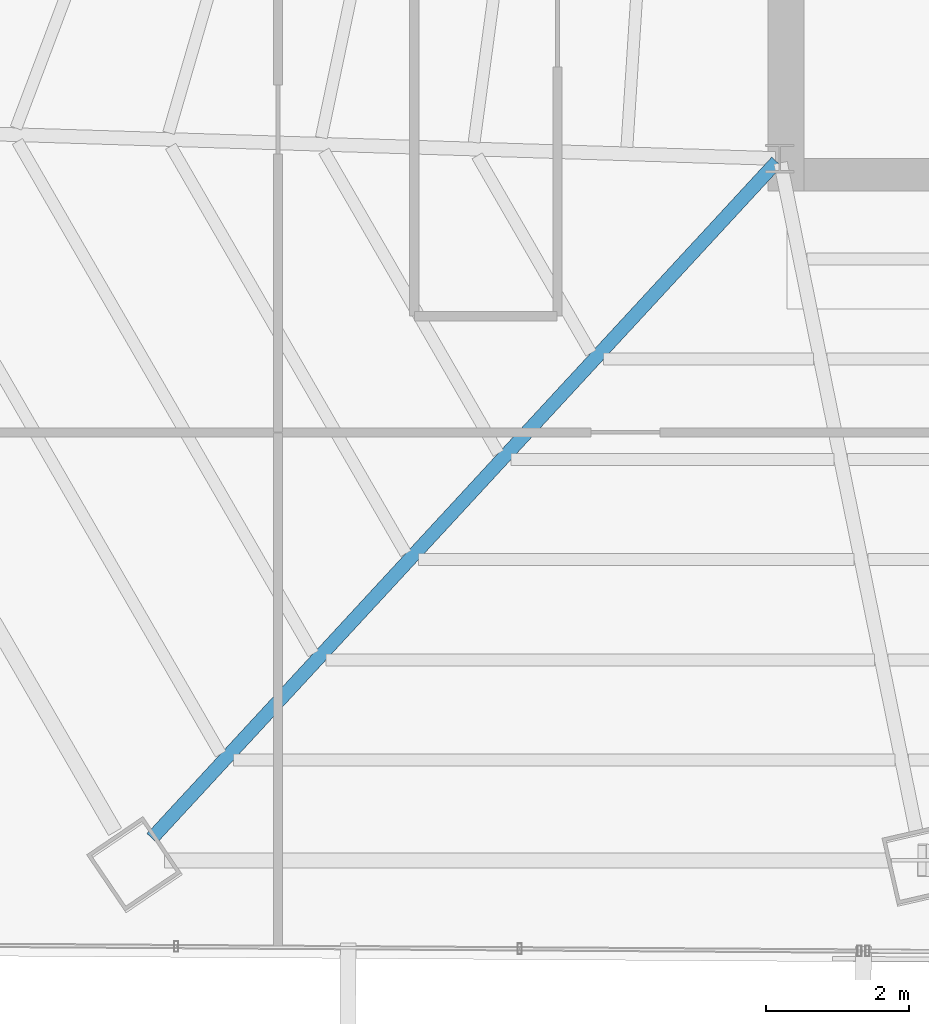
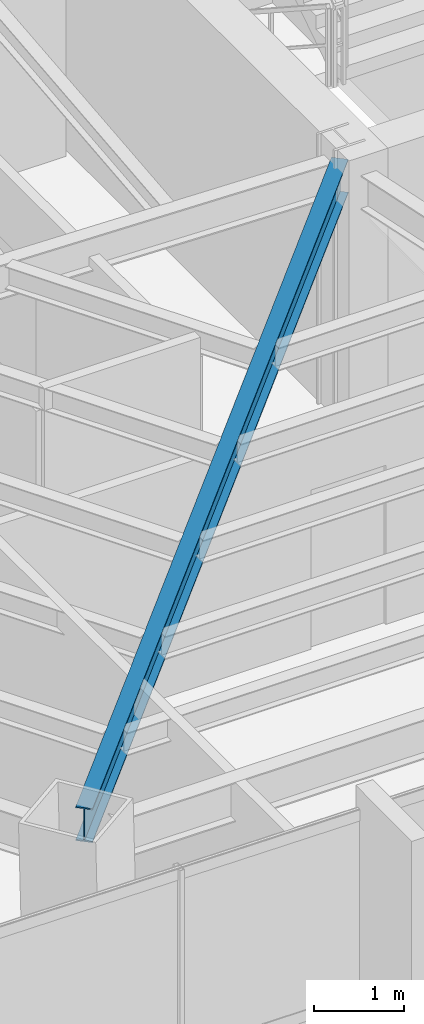
# One storey, part 5 of 41: 1 beam.
"""IFC4 building model written with IfcOpenShell, lengths in metres."""

import ifcopenshell
import ifcopenshell.guid

model = None  # the IFC model being written
_history = None  # IfcOwnerHistory: only IFC2X3 demands one
_inside = {}  # id of a spatial element -> (the spatial element, [elements in it])
_under = {}  # id of a project, library or spatial element -> (it, [spatial elements below it])
_declared = {}  # id of a project -> (the project, [libraries it declares])
_typed = {}  # id of a type object -> (the type object, [elements of that type])
_made_of = {}  # id of a material, layer set ... -> (it, [elements and type objects made of it])


def new_model(schema):
    """Start an empty IFC model of exactly this schema.

    Asked for "IFC4X3", IfcOpenShell would pick the latest addendum, in which some entities
    have other attributes; the version numbers below select the first issue.
    IFC2X3 requires an IfcOwnerHistory on every rooted entity: one is made here for all.
    """
    global model, _history
    if schema == "IFC4X3":
        model = ifcopenshell.file(schema_version=(4, 3, 0, 0))
    else:
        model = ifcopenshell.file(schema=schema)
    _inside.clear()
    _under.clear()
    _declared.clear()
    _typed.clear()
    _made_of.clear()
    _history = None
    if model.schema == "IFC2X3":
        org = make("IfcOrganization", Name="unknown")
        user = make(
            "IfcPersonAndOrganization",
            ThePerson=make("IfcPerson", FamilyName="unknown"),
            TheOrganization=org,
        )
        app = make(
            "IfcApplication",
            ApplicationDeveloper=org,
            Version="unknown",
            ApplicationFullName="unknown",
            ApplicationIdentifier="unknown",
        )
        _history = make(
            "IfcOwnerHistory",
            OwningUser=user,
            OwningApplication=app,
            ChangeAction="ADDED",
            CreationDate=0,
        )
    return model


def make(cls, **values):
    """One entity of the class cls with the attributes given. An attribute that is None is left unset."""
    return model.create_entity(
        cls, **{name: value for name, value in values.items() if value is not None}
    )


def rooted(cls, **values):
    """An entity with a GlobalId (a new one), such as an element, a storey or a relation."""
    return make(cls, GlobalId=ifcopenshell.guid.new(), OwnerHistory=_history, **values)


def si_unit(unit_type, name, prefix=None):
    """IfcSIUnit, for example si_unit("LENGTHUNIT", "METRE", prefix="MILLI")."""
    return make("IfcSIUnit", UnitType=unit_type, Prefix=prefix, Name=name)


def assignment(units):
    """IfcUnitAssignment: the units of a project."""
    return None if units is None else make("IfcUnitAssignment", Units=units)


def point(xyz):
    """IfcCartesianPoint."""
    return None if xyz is None else make("IfcCartesianPoint", Coordinates=xyz)


def direction(xyz):
    """IfcDirection."""
    return None if xyz is None else make("IfcDirection", DirectionRatios=xyz)


def frame(location, z_axis=None, x_axis=None):
    """IfcAxis2Placement3D, a coordinate frame: its origin and axes. An axis left out is left unset."""
    return make(
        "IfcAxis2Placement3D",
        Location=point(location),
        Axis=direction(z_axis),
        RefDirection=direction(x_axis),
    )


def frame_2d(location, x_axis=None):
    """IfcAxis2Placement2D, a coordinate frame in the plane: its origin and x axis."""
    return make(
        "IfcAxis2Placement2D", Location=point(location), RefDirection=direction(x_axis)
    )


def origin():
    """The frame at (0, 0, 0) with its axes left unset."""
    return frame((0.0, 0.0, 0.0))


def origin_2d():
    """The frame at (0, 0) in the plane with its x axis left unset."""
    return frame_2d((0.0, 0.0))


def place(relative_to, where):
    """IfcLocalPlacement: puts the frame where relative to a parent placement (None: the world)."""
    return make(
        "IfcLocalPlacement", PlacementRelTo=relative_to, RelativePlacement=where
    )


def context(
    kind, dimensions, precision=None, world=None, true_north=None, identifier=None
):
    """IfcGeometricRepresentationContext, for example the 3D "Model" context."""
    return make(
        "IfcGeometricRepresentationContext",
        ContextIdentifier=identifier,
        ContextType=kind,
        CoordinateSpaceDimension=dimensions,
        Precision=precision,
        WorldCoordinateSystem=world,
        TrueNorth=true_north,
    )


def subcontext(parent, identifier, kind, view, scale=None):
    """IfcGeometricRepresentationSubContext, for example "Body" below "Model"."""
    return make(
        "IfcGeometricRepresentationSubContext",
        ContextIdentifier=identifier,
        ContextType=kind,
        ParentContext=parent,
        TargetScale=scale,
        TargetView=view,
    )


def project(units=None, contexts=None):
    """IfcProject with its units and contexts."""
    return rooted(
        "IfcProject",
        Name="project",
        RepresentationContexts=contexts,
        UnitsInContext=assignment(units),
    )


def spatial(cls, under=None, at=None, **own):
    """A site, building, storey or space (cls), placed at a placement, below another one or the project."""
    s = rooted(cls, ObjectPlacement=at, **own)
    if under is not None:
        _under.setdefault(under.id(), (under, []))[1].append(s)
    return s


def profile(cls, at=None, kind="AREA", **sizes):
    """A parametric profile (cls). Its sizes go by their IFC names, for example OverallWidth=200.0."""
    return make(cls, ProfileType=kind, Position=at, **sizes)


def i_section(**sizes):
    """IfcIShapeProfileDef."""
    return profile("IfcIShapeProfileDef", **sizes)


def extrude(swept, where, along, depth):
    """IfcExtrudedAreaSolid: the profile swept, set in the frame where, extruded along a direction by depth."""
    return make(
        "IfcExtrudedAreaSolid",
        SweptArea=swept,
        Position=where,
        ExtrudedDirection=direction(along),
        Depth=depth,
    )


def shape(context_of_items, identifier, shape_type, items):
    """IfcShapeRepresentation: the items that make up one representation, for example the "Body"."""
    return make(
        "IfcShapeRepresentation",
        ContextOfItems=context_of_items,
        RepresentationIdentifier=identifier,
        RepresentationType=shape_type,
        Items=items,
    )


def source(mapping_origin, context_of_items, identifier, shape_type, items):
    """IfcRepresentationMap: a shape defined once, which mapped items show again and again."""
    return make(
        "IfcRepresentationMap",
        MappingOrigin=mapping_origin,
        MappedRepresentation=shape(context_of_items, identifier, shape_type, items),
    )


def transform(
    local_origin,
    x_axis=None,
    y_axis=None,
    z_axis=None,
    scale=None,
    scale2=None,
    scale3=None,
    uniform=True,
):
    """IfcCartesianTransformationOperator3D, or its non-uniform kind. x_axis, y_axis, z_axis: its Axis1, 2, 3."""
    if uniform:
        return make(
            "IfcCartesianTransformationOperator3D",
            Axis1=direction(x_axis),
            Axis2=direction(y_axis),
            LocalOrigin=point(local_origin),
            Scale=scale,
            Axis3=direction(z_axis),
        )
    return make(
        "IfcCartesianTransformationOperator3DnonUniform",
        Axis1=direction(x_axis),
        Axis2=direction(y_axis),
        LocalOrigin=point(local_origin),
        Scale=scale,
        Axis3=direction(z_axis),
        Scale2=scale2,
        Scale3=scale3,
    )


def mapped(mapping_source, mapping_target):
    """IfcMappedItem: shows the shape of a source again, moved by a transform."""
    return make(
        "IfcMappedItem", MappingSource=mapping_source, MappingTarget=mapping_target
    )


def material(Name=None, Category=None):
    """IfcMaterial."""
    return make("IfcMaterial", Name=Name, Category=Category)


def material_profile(
    of_material, cross_section, Name=None, Category=None, Priority=None
):
    """IfcMaterialProfile: a cross section and its material."""
    return make(
        "IfcMaterialProfile",
        Name=Name,
        Material=of_material,
        Profile=cross_section,
        Priority=Priority,
        Category=Category,
    )


def profile_set(profiles, Name=None, composite=None):
    """IfcMaterialProfileSet."""
    return make(
        "IfcMaterialProfileSet",
        Name=Name,
        MaterialProfiles=profiles,
        CompositeProfile=composite,
    )


def made_of(thing, what):
    """Note that an element or type object is made of a material, layer set ...; save() writes the relation."""
    if what is not None:
        _made_of.setdefault(what.id(), (what, []))[1].append(thing)
    return thing


def type_object(cls, material=None, **own):
    """A type object (cls), such as IfcWallType, which elements share."""
    return made_of(rooted(cls, **own), material)


def type_shapes(of_type, sources):
    """Give a type object the sources (RepresentationMaps) that its elements show as mapped items."""
    of_type.RepresentationMaps = sources


def element(
    cls,
    number,
    at=None,
    inside=None,
    cuts=None,
    type_object=None,
    material=None,
    context=None,
    identifier="Body",
    shape_type=None,
    held_by="IfcProductDefinitionShape",
    body=None,
    shapes=None,
    **own,
):
    """One element of the class cls, such as IfcWall. Its Tag is "e" and its number.

    at: its placement. inside: the storey or other place that contains it. cuts: it is an
    opening in that element (IfcRelVoidsElement). A single representation is given by context,
    identifier, shape_type and body (its items); several are given by shapes. held_by: the class
    of the entity that holds the representations. save() writes the other relations.
    """
    e = rooted(cls, Tag="e%d" % number, ObjectPlacement=at, **own)
    if body is not None:
        shapes = [shape(context, identifier, shape_type, body)]
    if shapes is not None:
        e.Representation = make(held_by, Representations=shapes)
    if inside is not None:
        _inside.setdefault(inside.id(), (inside, []))[1].append(e)
    if cuts is not None:
        rooted(
            "IfcRelVoidsElement", RelatingBuildingElement=cuts, RelatedOpeningElement=e
        )
    if type_object is not None:
        _typed.setdefault(type_object.id(), (type_object, []))[1].append(e)
    return made_of(e, material)


def aggregate(whole, parts):
    """IfcRelAggregates: a whole, such as a stair, and the parts it consists of."""
    return rooted("IfcRelAggregates", RelatingObject=whole, RelatedObjects=parts)


def save(model, path):
    """Write the relations noted so far, then the file.

    IfcRelAggregates (storeys below a building ...), IfcRelContainedInSpatialStructure (elements
    in a storey), IfcRelDefinesByType, IfcRelAssociatesMaterial and IfcRelDeclares: one each for
    every whole, place, type object, material and project.
    """
    for whole, parts in _under.values():
        aggregate(whole, parts)
    for where, things in _inside.values():
        rooted(
            "IfcRelContainedInSpatialStructure",
            RelatedElements=things,
            RelatingStructure=where,
        )
    for kind, things in _typed.values():
        rooted("IfcRelDefinesByType", RelatedObjects=things, RelatingType=kind)
    for what, things in _made_of.values():
        rooted("IfcRelAssociatesMaterial", RelatedObjects=things, RelatingMaterial=what)
    for by, libraries in _declared.values():
        rooted("IfcRelDeclares", RelatingContext=by, RelatedDefinitions=libraries)
    model.write(path)


model = new_model("IFC4")

# Units and contexts
model_context = context("Model", 3, precision=1e-05, world=origin(), true_north=direction((0.0, 1.0)))
body_context = subcontext(model_context, "Body", "Model", "MODEL_VIEW")
ifc_project = project(units=[si_unit("LENGTHUNIT", "METRE"), si_unit("AREAUNIT", "SQUARE_METRE"), si_unit("VOLUMEUNIT", "CUBIC_METRE"), si_unit("PLANEANGLEUNIT", "RADIAN"), si_unit("MASSUNIT", "GRAM", prefix="KILO")], contexts=[model_context])

# Site, building, storey
site_placement = place(None, origin())
site = spatial("IfcSite", under=ifc_project, at=site_placement, CompositionType="ELEMENT")
building_placement = place(site_placement, origin())
building = spatial("IfcBuilding", under=site, at=building_placement, Name="Caelisora Broadcast Tower", CompositionType="ELEMENT")
storey_placement = place(building_placement, frame((0.0, 0.0, 165.800048828125)))
storey = spatial("IfcBuildingStorey", under=building, at=storey_placement, Name="L43", CompositionType="ELEMENT", Elevation=165.800048828125)

# Beam
ifc_material = material(Name="Steel Grade 350 (AS/NZS 3679.1)", Category="steel")
ifc_material_profile = material_profile(ifc_material, i_section(OverallWidth=0.19091796875, OverallDepth=0.46044921875, WebThickness=0.010009765625, FlangeThickness=0.01611328125, at=origin_2d()), Name="Steel Grade 350 (AS/NZS 3679.1)")
ifc_profile_set = profile_set([ifc_material_profile], Name="Steel Grade 350 (AS/NZS 3679.1)")
beam_type = type_object("IfcBeamType", Name="PG06", PredefinedType="BEAM", material=ifc_profile_set)
shared_shape = source(origin(), body_context, "Body", "SweptSolid", [
    extrude(i_section(OverallWidth=0.19091796875, OverallDepth=0.46044921875, WebThickness=0.010009765625, FlangeThickness=0.01611328125, at=origin_2d()), origin(), (0.0, 0.0, 1.0), 12.847412109375),
])
type_shapes(beam_type, [shared_shape])
beam_placement = place(storey_placement, frame((30.459228515625, 17.35595703125, 3.169677734375), z_axis=(-0.678501854369, -0.734598688821, 0.0), x_axis=(0.734598688821, -0.678501854369, 0.0)))
element("IfcBeam", 1, at=beam_placement, inside=storey, type_object=beam_type, Name="L43 beam PG06", PredefinedType="BEAM", context=body_context, shape_type="MappedRepresentation", body=[
    mapped(shared_shape, transform((0.0, 0.0, 0.0), scale=1.0)),
])

save(model, "model.ifc")
